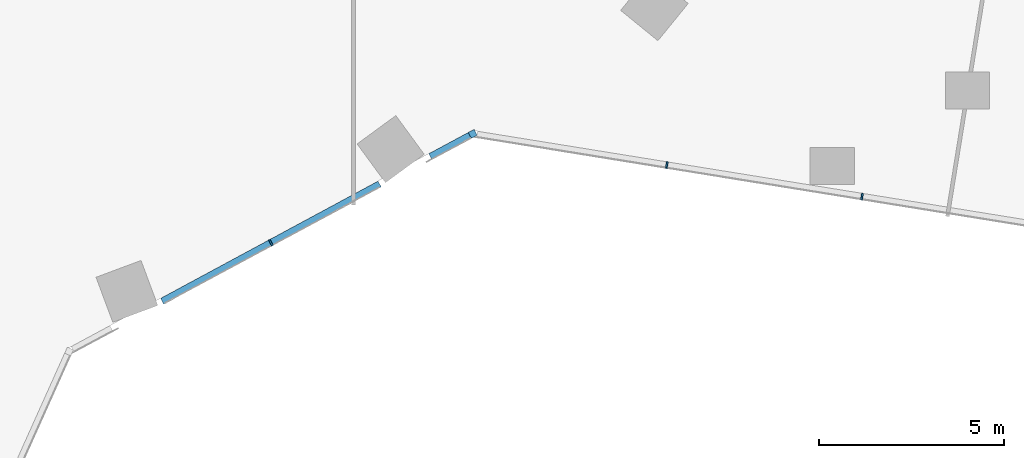
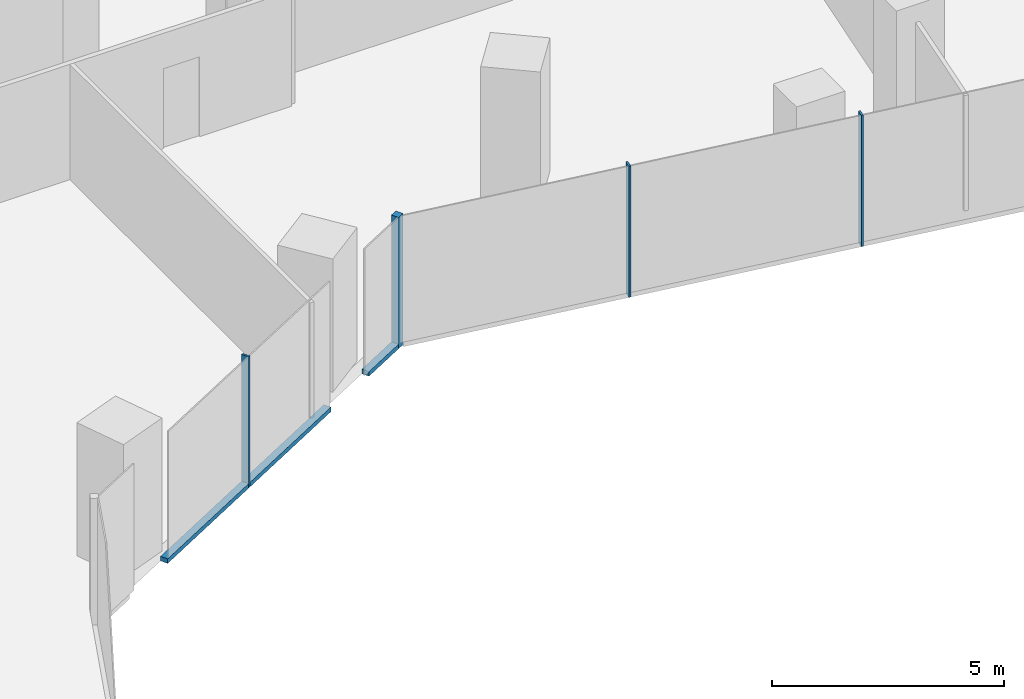
# One storey, part 8 of 34: 6 members, 2 elements without a shape of their own.
"""IFC4 building model written with IfcOpenShell, lengths in metres."""

from ifc_helpers import new_model, si_unit, direction, frame, origin, origin_2d, place, context, subcontext, project, spatial, rectangle, extrude, material, material_profile, profile_set, type_object, element, aggregate, save


model = new_model("IFC4")

# Units and contexts
model_context = context("Model", 3, precision=1e-05, world=origin(), true_north=direction((0.0, 1.0)))
body_context = subcontext(model_context, "Body", "Model", "MODEL_VIEW")
ifc_project = project(units=[si_unit("LENGTHUNIT", "METRE"), si_unit("AREAUNIT", "SQUARE_METRE"), si_unit("VOLUMEUNIT", "CUBIC_METRE"), si_unit("PLANEANGLEUNIT", "RADIAN"), si_unit("MASSUNIT", "GRAM", prefix="KILO")], contexts=[model_context])

# Site, building, storey
site_placement = place(None, origin())
site = spatial("IfcSite", under=ifc_project, at=site_placement, CompositionType="ELEMENT")
building_placement = place(site_placement, origin())
building = spatial("IfcBuilding", under=site, at=building_placement, Name="Orlundy Tower", CompositionType="ELEMENT")
storey_placement = place(building_placement, frame((0.0, 0.0, 137.699951171875)))
storey = spatial("IfcBuildingStorey", under=building, at=storey_placement, Name="L35", CompositionType="ELEMENT", Elevation=137.699951171875)

# Curtain wall, member
ifc_material_1 = material(Name="Aluminium bronze anodised", Category="aluminium")
curtain_wall_type = type_object("IfcCurtainWallType", Name="CW1 wall", PredefinedType="NOTDEFINED", material=ifc_material_1)
curtain_wall_1_placement = place(storey_placement, origin())
curtain_wall_1 = element("IfcCurtainWall", 1, at=curtain_wall_1_placement, inside=storey, type_object=curtain_wall_type, Name="CW1 run 017", PredefinedType="NOTDEFINED")
ifc_material_2 = material(Name="Aluminium bronze anodised", Category="aluminium")
ifc_material_profile_1 = material_profile(ifc_material_2, rectangle(XDim=0.179931640625, YDim=0.179931640625, at=origin_2d()), Name="CW1 corner post 180x180")
ifc_profile_set_1 = profile_set([ifc_material_profile_1], Name="Aluminium bronze anodised")
member_type_1 = type_object("IfcMemberType", Name="CW1 corner post 180x180", PredefinedType="MULLION", material=ifc_profile_set_1)
member_1_placement = place(storey_placement, frame((19.748779296875, -23.53662109375, -0.39990234375), z_axis=(0.0, 0.0, 1.0), x_axis=(0.474615553081, -0.88019320423, 0.0)))
member_1 = element("IfcMember", 2, at=member_1_placement, type_object=member_type_1, Name="CW1 mullion 49", PredefinedType="MULLION", context=body_context, shape_type="SweptSolid", body=[
    extrude(rectangle(XDim=0.179931640625, YDim=0.179931640625, at=origin_2d()), origin(), (0.0, 0.0, 1.0), 3.449951171875),
])

# Curtain wall, members
curtain_wall_2_placement = place(storey_placement, origin())
curtain_wall_2 = element("IfcCurtainWall", 3, at=curtain_wall_2_placement, inside=storey, type_object=curtain_wall_type, Name="CW1 run 016", PredefinedType="NOTDEFINED")
ifc_material_3 = material(Name="Aluminium bronze anodised", Category="aluminium")
ifc_material_profile_2 = material_profile(ifc_material_3, rectangle(XDim=0.179931640625, YDim=0.050048828125, at=origin_2d()), Name="CW1 mullion 50x180")
ifc_profile_set_2 = profile_set([ifc_material_profile_2], Name="Aluminium bronze anodised")
member_type_2 = type_object("IfcMemberType", Name="CW1 mullion 50x180", PredefinedType="MULLION", material=ifc_profile_set_2)
member_2_placement = place(storey_placement, frame((30.29541015625, -25.23876953125, -0.39990234375), z_axis=(0.0, 0.0, 1.0), x_axis=(-0.159311085453, -0.987228432558, 0.0)))
member_2 = element("IfcMember", 4, at=member_2_placement, type_object=member_type_2, Name="CW1 mullion 47", PredefinedType="MULLION", context=body_context, shape_type="SweptSolid", body=[
    extrude(rectangle(XDim=0.179931640625, YDim=0.050048828125, at=origin_2d()), origin(), (0.0, 0.0, 1.0), 3.449951171875),
])
member_3_placement = place(storey_placement, frame((25.007080078125, -24.38525390625, -0.39990234375), z_axis=(0.0, 0.0, 1.0), x_axis=(-0.159311085453, -0.987228432558, 0.0)))
member_3 = element("IfcMember", 5, at=member_3_placement, type_object=member_type_2, Name="CW1 mullion 48", PredefinedType="MULLION", context=body_context, shape_type="SweptSolid", body=[
    extrude(rectangle(XDim=0.179931640625, YDim=0.050048828125, at=origin_2d()), origin(), (0.0, 0.0, 1.0), 3.449951171875),
])
aggregate(curtain_wall_2, [member_2, member_3])

# Member
member_4_placement = place(storey_placement, frame((14.28076171875, -26.485107421875, -0.39990234375), z_axis=(0.0, 0.0, 1.0), x_axis=(0.474615553081, -0.88019320423, 0.0)))
member_4 = element("IfcMember", 6, at=member_4_placement, type_object=member_type_2, Name="CW1 mullion 50", PredefinedType="MULLION", context=body_context, shape_type="SweptSolid", body=[
    extrude(rectangle(XDim=0.179931640625, YDim=0.050048828125, at=origin_2d()), origin(), (0.0, 0.0, 1.0), 3.449951171875),
])

ifc_material_4 = material(Name="Aluminium bronze anodised", Category="aluminium")
ifc_material_profile_3 = material_profile(ifc_material_4, rectangle(XDim=0.179931640625, YDim=0.1201171875, at=origin_2d()), Name="CW1 transom 180x120")
ifc_profile_set_3 = profile_set([ifc_material_profile_3], Name="Aluminium bronze anodised")
member_type_3 = type_object("IfcMemberType", Name="CW1 transom 180x120", PredefinedType="USERDEFINED", material=ifc_profile_set_3)
member_5_placement = place(storey_placement, frame((19.669677734375, -23.579345703125, -0.33984375), z_axis=(-0.880206214276, -0.474591424649, 0.0), x_axis=(0.474591424649, -0.880206214276, 0.0)))
member_5 = element("IfcMember", 7, at=member_5_placement, type_object=member_type_3, Name="CW1 transom", ObjectType="TRANSOM", PredefinedType="USERDEFINED", context=body_context, shape_type="SweptSolid", body=[
    extrude(rectangle(XDim=0.179931640625, YDim=0.1201171875, at=origin_2d()), origin(), (0.0, 0.0, 1.0), 1.214111328125),
])

member_6_placement = place(storey_placement, frame((17.226806640625, -24.896728515625, -0.33984375), z_axis=(-0.880200432589, -0.474602147563, 0.0), x_axis=(0.474602147563, -0.880200432589, 0.0)))
member_6 = element("IfcMember", 8, at=member_6_placement, type_object=member_type_3, Name="CW1 transom", ObjectType="TRANSOM", PredefinedType="USERDEFINED", context=body_context, shape_type="SweptSolid", body=[
    extrude(rectangle(XDim=0.179931640625, YDim=0.1201171875, at=origin_2d()), origin(), (0.0, 0.0, 1.0), 6.694091796875),
])

aggregate(curtain_wall_1, [member_1, member_4, member_5, member_6])

save(model, "model.ifc")
